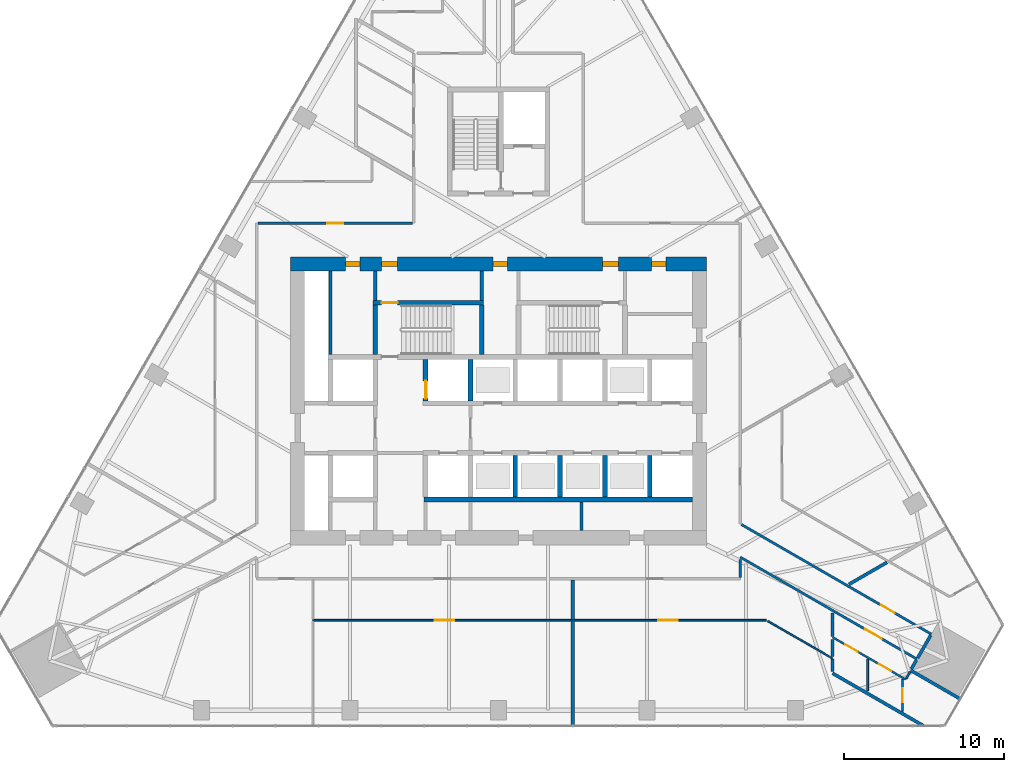
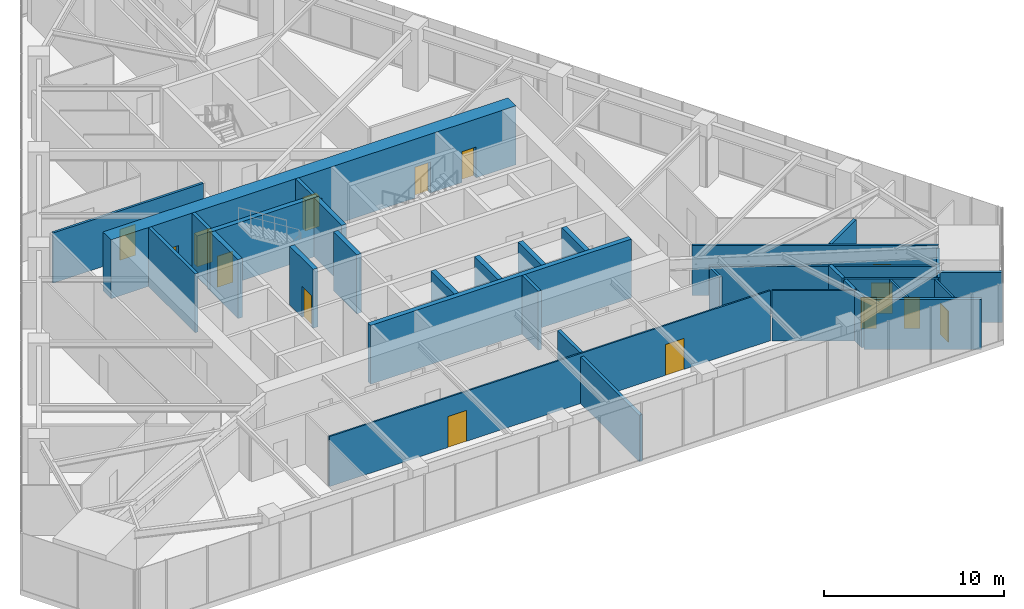
# One storey, part 17 of 22: 35 walls, 15 doors, 15 openings.
"""IFC4 building model written with IfcOpenShell, lengths in metres."""

import ifcopenshell
import ifcopenshell.guid

model = None  # the IFC model being written
_history = None  # IfcOwnerHistory: only IFC2X3 demands one
_inside = {}  # id of a spatial element -> (the spatial element, [elements in it])
_under = {}  # id of a project, library or spatial element -> (it, [spatial elements below it])
_declared = {}  # id of a project -> (the project, [libraries it declares])
_typed = {}  # id of a type object -> (the type object, [elements of that type])
_made_of = {}  # id of a material, layer set ... -> (it, [elements and type objects made of it])


def new_model(schema):
    """Start an empty IFC model of exactly this schema.

    Asked for "IFC4X3", IfcOpenShell would pick the latest addendum, in which some entities
    have other attributes; the version numbers below select the first issue.
    IFC2X3 requires an IfcOwnerHistory on every rooted entity: one is made here for all.
    """
    global model, _history
    if schema == "IFC4X3":
        model = ifcopenshell.file(schema_version=(4, 3, 0, 0))
    else:
        model = ifcopenshell.file(schema=schema)
    _inside.clear()
    _under.clear()
    _declared.clear()
    _typed.clear()
    _made_of.clear()
    _history = None
    if model.schema == "IFC2X3":
        org = make("IfcOrganization", Name="unknown")
        user = make(
            "IfcPersonAndOrganization",
            ThePerson=make("IfcPerson", FamilyName="unknown"),
            TheOrganization=org,
        )
        app = make(
            "IfcApplication",
            ApplicationDeveloper=org,
            Version="unknown",
            ApplicationFullName="unknown",
            ApplicationIdentifier="unknown",
        )
        _history = make(
            "IfcOwnerHistory",
            OwningUser=user,
            OwningApplication=app,
            ChangeAction="ADDED",
            CreationDate=0,
        )
    return model


def make(cls, **values):
    """One entity of the class cls with the attributes given. An attribute that is None is left unset."""
    return model.create_entity(
        cls, **{name: value for name, value in values.items() if value is not None}
    )


def rooted(cls, **values):
    """An entity with a GlobalId (a new one), such as an element, a storey or a relation."""
    return make(cls, GlobalId=ifcopenshell.guid.new(), OwnerHistory=_history, **values)


def si_unit(unit_type, name, prefix=None):
    """IfcSIUnit, for example si_unit("LENGTHUNIT", "METRE", prefix="MILLI")."""
    return make("IfcSIUnit", UnitType=unit_type, Prefix=prefix, Name=name)


def assignment(units):
    """IfcUnitAssignment: the units of a project."""
    return None if units is None else make("IfcUnitAssignment", Units=units)


def point(xyz):
    """IfcCartesianPoint."""
    return None if xyz is None else make("IfcCartesianPoint", Coordinates=xyz)


def direction(xyz):
    """IfcDirection."""
    return None if xyz is None else make("IfcDirection", DirectionRatios=xyz)


def frame(location, z_axis=None, x_axis=None):
    """IfcAxis2Placement3D, a coordinate frame: its origin and axes. An axis left out is left unset."""
    return make(
        "IfcAxis2Placement3D",
        Location=point(location),
        Axis=direction(z_axis),
        RefDirection=direction(x_axis),
    )


def frame_2d(location, x_axis=None):
    """IfcAxis2Placement2D, a coordinate frame in the plane: its origin and x axis."""
    return make(
        "IfcAxis2Placement2D", Location=point(location), RefDirection=direction(x_axis)
    )


def origin():
    """The frame at (0, 0, 0) with its axes left unset."""
    return frame((0.0, 0.0, 0.0))


def place(relative_to, where):
    """IfcLocalPlacement: puts the frame where relative to a parent placement (None: the world)."""
    return make(
        "IfcLocalPlacement", PlacementRelTo=relative_to, RelativePlacement=where
    )


def context(
    kind, dimensions, precision=None, world=None, true_north=None, identifier=None
):
    """IfcGeometricRepresentationContext, for example the 3D "Model" context."""
    return make(
        "IfcGeometricRepresentationContext",
        ContextIdentifier=identifier,
        ContextType=kind,
        CoordinateSpaceDimension=dimensions,
        Precision=precision,
        WorldCoordinateSystem=world,
        TrueNorth=true_north,
    )


def subcontext(parent, identifier, kind, view, scale=None):
    """IfcGeometricRepresentationSubContext, for example "Body" below "Model"."""
    return make(
        "IfcGeometricRepresentationSubContext",
        ContextIdentifier=identifier,
        ContextType=kind,
        ParentContext=parent,
        TargetScale=scale,
        TargetView=view,
    )


def project(units=None, contexts=None):
    """IfcProject with its units and contexts."""
    return rooted(
        "IfcProject",
        Name="project",
        RepresentationContexts=contexts,
        UnitsInContext=assignment(units),
    )


def spatial(cls, under=None, at=None, **own):
    """A site, building, storey or space (cls), placed at a placement, below another one or the project."""
    s = rooted(cls, ObjectPlacement=at, **own)
    if under is not None:
        _under.setdefault(under.id(), (under, []))[1].append(s)
    return s


def profile(cls, at=None, kind="AREA", **sizes):
    """A parametric profile (cls). Its sizes go by their IFC names, for example OverallWidth=200.0."""
    return make(cls, ProfileType=kind, Position=at, **sizes)


def rectangle(**sizes):
    """IfcRectangleProfileDef."""
    return profile("IfcRectangleProfileDef", **sizes)


def extrude(swept, where, along, depth):
    """IfcExtrudedAreaSolid: the profile swept, set in the frame where, extruded along a direction by depth."""
    return make(
        "IfcExtrudedAreaSolid",
        SweptArea=swept,
        Position=where,
        ExtrudedDirection=direction(along),
        Depth=depth,
    )


def shape(context_of_items, identifier, shape_type, items):
    """IfcShapeRepresentation: the items that make up one representation, for example the "Body"."""
    return make(
        "IfcShapeRepresentation",
        ContextOfItems=context_of_items,
        RepresentationIdentifier=identifier,
        RepresentationType=shape_type,
        Items=items,
    )


def material(Name=None, Category=None):
    """IfcMaterial."""
    return make("IfcMaterial", Name=Name, Category=Category)


def layer(
    of_material, thickness, ventilated=None, Name=None, Category=None, Priority=None
):
    """IfcMaterialLayer: one layer of a wall or slab, of a material (None: an air gap)."""
    return make(
        "IfcMaterialLayer",
        Material=of_material,
        LayerThickness=thickness,
        IsVentilated=ventilated,
        Name=Name,
        Category=Category,
        Priority=Priority,
    )


def layer_set(layers, Name=None):
    """IfcMaterialLayerSet."""
    return make("IfcMaterialLayerSet", MaterialLayers=layers, LayerSetName=Name)


def made_of(thing, what):
    """Note that an element or type object is made of a material, layer set ...; save() writes the relation."""
    if what is not None:
        _made_of.setdefault(what.id(), (what, []))[1].append(thing)
    return thing


def type_object(cls, material=None, **own):
    """A type object (cls), such as IfcWallType, which elements share."""
    return made_of(rooted(cls, **own), material)


def element(
    cls,
    number,
    at=None,
    inside=None,
    cuts=None,
    type_object=None,
    material=None,
    context=None,
    identifier="Body",
    shape_type=None,
    held_by="IfcProductDefinitionShape",
    body=None,
    shapes=None,
    **own,
):
    """One element of the class cls, such as IfcWall. Its Tag is "e" and its number.

    at: its placement. inside: the storey or other place that contains it. cuts: it is an
    opening in that element (IfcRelVoidsElement). A single representation is given by context,
    identifier, shape_type and body (its items); several are given by shapes. held_by: the class
    of the entity that holds the representations. save() writes the other relations.
    """
    e = rooted(cls, Tag="e%d" % number, ObjectPlacement=at, **own)
    if body is not None:
        shapes = [shape(context, identifier, shape_type, body)]
    if shapes is not None:
        e.Representation = make(held_by, Representations=shapes)
    if inside is not None:
        _inside.setdefault(inside.id(), (inside, []))[1].append(e)
    if cuts is not None:
        rooted(
            "IfcRelVoidsElement", RelatingBuildingElement=cuts, RelatedOpeningElement=e
        )
    if type_object is not None:
        _typed.setdefault(type_object.id(), (type_object, []))[1].append(e)
    return made_of(e, material)


def fill(opening, filler):
    """IfcRelFillsElement: the door or window that sits in an opening."""
    return rooted(
        "IfcRelFillsElement",
        RelatingOpeningElement=opening,
        RelatedBuildingElement=filler,
    )


def aggregate(whole, parts):
    """IfcRelAggregates: a whole, such as a stair, and the parts it consists of."""
    return rooted("IfcRelAggregates", RelatingObject=whole, RelatedObjects=parts)


def save(model, path):
    """Write the relations noted so far, then the file.

    IfcRelAggregates (storeys below a building ...), IfcRelContainedInSpatialStructure (elements
    in a storey), IfcRelDefinesByType, IfcRelAssociatesMaterial and IfcRelDeclares: one each for
    every whole, place, type object, material and project.
    """
    for whole, parts in _under.values():
        aggregate(whole, parts)
    for where, things in _inside.values():
        rooted(
            "IfcRelContainedInSpatialStructure",
            RelatedElements=things,
            RelatingStructure=where,
        )
    for kind, things in _typed.values():
        rooted("IfcRelDefinesByType", RelatedObjects=things, RelatingType=kind)
    for what, things in _made_of.values():
        rooted("IfcRelAssociatesMaterial", RelatedObjects=things, RelatingMaterial=what)
    for by, libraries in _declared.values():
        rooted("IfcRelDeclares", RelatingContext=by, RelatedDefinitions=libraries)
    model.write(path)


model = new_model("IFC4")

# Units and contexts
model_context = context("Model", 3, precision=1e-05, world=origin(), true_north=direction((0.0, 1.0)))
body_context = subcontext(model_context, "Body", "Model", "MODEL_VIEW")
ifc_project = project(units=[si_unit("LENGTHUNIT", "METRE"), si_unit("AREAUNIT", "SQUARE_METRE"), si_unit("VOLUMEUNIT", "CUBIC_METRE"), si_unit("PLANEANGLEUNIT", "RADIAN"), si_unit("MASSUNIT", "GRAM", prefix="KILO")], contexts=[model_context])

# Site, building, storey
site_placement = place(None, origin())
site = spatial("IfcSite", under=ifc_project, at=site_placement, CompositionType="ELEMENT")
building_placement = place(site_placement, origin())
building = spatial("IfcBuilding", under=site, at=building_placement, Name="Firuza Gate Tower and Library", CompositionType="ELEMENT")
storey_placement = place(building_placement, frame((0.0, 0.0, 128.199951171875)))
storey = spatial("IfcBuildingStorey", under=building, at=storey_placement, Name="L29", CompositionType="ELEMENT", Elevation=128.199951171875)

# Walls
ifc_material_1 = material(Name="Plasterboard on steel studs", Category="steel")
ifc_layer_1 = layer(ifc_material_1, 0.199951171875)
ifc_layer_set_1 = layer_set([ifc_layer_1], Name="Core partition 200 EI 120")
wall_type_1 = type_object("IfcWallType", Name="Core partition 200 EI 120", PredefinedType="PARTITIONING", material=ifc_layer_set_1)
wall_1_placement = place(storey_placement, frame((64.5, 77.89990234375, 0.0), z_axis=(0.0, 0.0, 1.0), x_axis=(0.0, 1.0, 0.0)))
element("IfcWall", 1, at=wall_1_placement, inside=storey, type_object=wall_type_1, Name="Core partition L29 6", PredefinedType="PARTITIONING", context=body_context, shape_type="SweptSolid", body=[
    extrude(rectangle(XDim=5.2001953125, YDim=0.199951171875, at=frame_2d((2.60009765625, 0.0))), origin(), (0.0, 0.0, 1.0), 4.0),
])
wall_2_placement = place(storey_placement, frame((80.175048828125, 66.89990234375, 0.0), z_axis=(0.0, 0.0, 1.0), x_axis=(0.0, 1.0, 0.0)))
element("IfcWall", 2, at=wall_2_placement, inside=storey, type_object=wall_type_1, Name="Core partition L29 15", PredefinedType="PARTITIONING", context=body_context, shape_type="SweptSolid", body=[
    extrude(rectangle(XDim=1.800048828125, YDim=0.199951171875, at=frame_2d((0.89990234375, 0.0))), origin(), (0.0, 0.0, 1.0), 4.0),
])
ifc_material_2 = material(Name="Plasterboard on steel studs", Category="steel")
ifc_layer_2 = layer(ifc_material_2, 0.199951171875)
ifc_layer_set_2 = layer_set([ifc_layer_2], Name="Core partition 200 EI 60")
wall_type_2 = type_object("IfcWallType", Name="Core partition 200 EI 60", PredefinedType="PARTITIONING", material=ifc_layer_set_2)
for number, where, z_axis, x_axis, name in (
    (3, (67.300048828125, 81.280029296875, 0.0), (0.0, 0.0, 1.0), (0.0, 1.0, 0.0), "Core partition L29 9"),
    (4, (73.9599609375, 81.280029296875, 0.0), (0.0, 0.0, 1.0), (0.0, 1.0, 0.0), "Core partition L29 13"),
):
    element("IfcWall", number, at=place(storey_placement, frame(where, z_axis=z_axis, x_axis=x_axis)), inside=storey, type_object=wall_type_2, Name=name, PredefinedType="PARTITIONING", context=body_context, shape_type="SweptSolid", body=[
        extrude(rectangle(XDim=1.820068359375, YDim=0.199951171875, at=frame_2d((0.91015625, 0.0))), origin(), (0.0, 0.0, 1.0), 4.0),
    ])
ifc_material_3 = material(Name="Concrete C80/95", Category="concrete")
ifc_layer_3 = layer(ifc_material_3, 0.300048828125)
ifc_layer_set_3 = layer_set([ifc_layer_3], Name="Core wall 300 C80/95")
wall_type_3 = type_object("IfcWallType", Name="Core wall 300 C80/95", PredefinedType="SHEAR", material=ifc_layer_set_3)
wall_3_placement = place(storey_placement, frame((70.35009765625, 68.85009765625, 0.0), z_axis=(0.0, 0.0, 1.0), x_axis=(1.0, 0.0, 0.0)))
element("IfcWall", 5, at=wall_3_placement, inside=storey, type_object=wall_type_3, Name="Core wall L29 6", PredefinedType="SHEAR", context=body_context, shape_type="SweptSolid", body=[
    extrude(rectangle(XDim=16.75, YDim=0.300048828125, at=frame_2d((8.375, 0.0))), origin(), (0.0, 0.0, 1.0), 4.0),
])

# Wall, opening, door
wall_4_placement = place(storey_placement, frame((70.449951171875, 75.0, 0.0), z_axis=(0.0, 0.0, 1.0), x_axis=(0.0, 1.0, 0.0)))
wall_4 = element("IfcWall", 6, at=wall_4_placement, inside=storey, type_object=wall_type_3, Name="Core wall L29 16", PredefinedType="SHEAR", context=body_context, shape_type="SweptSolid", body=[
    extrude(rectangle(XDim=2.60009765625, YDim=0.300048828125, at=frame_2d((1.300048828125, 0.0))), origin(), (0.0, 0.0, 1.0), 4.0),
])
opening_1_placement = place(wall_4_placement, frame((0.14990234375, 0.0, 0.0)))
opening_1 = element("IfcOpeningElement", 7, at=opening_1_placement, cuts=wall_4, Name="Opening LD-FF2-L29", PredefinedType="OPENING", context=body_context, shape_type="SweptSolid", body=[
    extrude(rectangle(XDim=1.10009765625, YDim=2.10009765625, at=frame_2d((0.550048828125, 1.050048828125))), frame((0.0, 0.16015625, 0.0), z_axis=(0.0, -1.0, 0.0), x_axis=(1.0, 0.0, 0.0)), (0.0, 0.0, 1.0), 0.320068359375),
])
ifc_material_4 = material(Name="Stainless steel", Category="steel")
door_type_1 = type_object("IfcDoorType", Name="Lift landing door 1100x2100", OperationType="DOUBLE_DOOR_SLIDING", PredefinedType="DOOR", material=ifc_material_4)
door_1_placement = place(opening_1_placement, origin())
door_1 = element("IfcDoor", 8, at=door_1_placement, inside=storey, type_object=door_type_1, Name="Landing door FF2 L29", OperationType="DOUBLE_DOOR_SLIDING", OverallHeight=2.10009765625, OverallWidth=1.10009765625, PredefinedType="DOOR", context=body_context, shape_type="SweptSolid", body=[
    extrude(rectangle(XDim=1.10009765625, YDim=2.10009765625, at=frame_2d((0.550048828125, 1.050048828125))), frame((0.0, 0.02490234375, 0.0), z_axis=(0.0, -1.0, 0.0), x_axis=(1.0, 0.0, 0.0)), (0.0, 0.0, 1.0), 0.050048828125),
])
fill(opening_1, door_1)

# Walls
for number, where, z_axis, x_axis, name in (
    (9, (73.25, 75.0, 0.0), (0.0, 0.0, 1.0), (0.0, 1.0, 0.0), "Core wall L29 18"),
    (10, (76.050048828125, 69.0, 0.0), (0.0, 0.0, 1.0), (0.0, 1.0, 0.0), "Core wall L29 19"),
    (11, (78.85009765625, 69.0, 0.0), (0.0, 0.0, 1.0), (0.0, 1.0, 0.0), "Core wall L29 21"),
    (12, (81.64990234375, 69.0, 0.0), (0.0, 0.0, 1.0), (0.0, 1.0, 0.0), "Core wall L29 23"),
    (13, (84.449951171875, 69.0, 0.0), (0.0, 0.0, 1.0), (0.0, 1.0, 0.0), "Core wall L29 25"),
):
    element("IfcWall", number, at=place(storey_placement, frame(where, z_axis=z_axis, x_axis=x_axis)), inside=storey, type_object=wall_type_3, Name=name, PredefinedType="SHEAR", context=body_context, shape_type="SweptSolid", body=[
        extrude(rectangle(XDim=2.60009765625, YDim=0.300048828125, at=frame_2d((1.300048828125, 0.0))), origin(), (0.0, 0.0, 1.0), 4.0),
    ])

# Wall, opening, door
wall_5_placement = place(storey_placement, frame((67.14990234375, 81.1298828125, 0.0), z_axis=(0.0, 0.0, 1.0), x_axis=(1.0, 0.0, 0.0)))
wall_5 = element("IfcWall", 14, at=wall_5_placement, inside=storey, type_object=wall_type_3, Name="Core wall L29 28", PredefinedType="SHEAR", context=body_context, shape_type="SweptSolid", body=[
    extrude(rectangle(XDim=6.91015625, YDim=0.300048828125, at=frame_2d((3.455078125, 0.0))), origin(), (0.0, 0.0, 1.0), 4.0),
])
opening_2_placement = place(wall_5_placement, frame((0.544921875, 0.0, 0.0)))
opening_2 = element("IfcOpeningElement", 15, at=opening_2_placement, cuts=wall_5, Name="Opening L29-K13", PredefinedType="OPENING", context=body_context, shape_type="SweptSolid", body=[
    extrude(rectangle(XDim=1.0, YDim=2.10009765625, at=frame_2d((0.5, 1.050048828125))), frame((0.0, 0.16015625, 0.0), z_axis=(0.0, -1.0, 0.0), x_axis=(1.0, 0.0, 0.0)), (0.0, 0.0, 1.0), 0.320068359375),
])
ifc_material_5 = material(Name="Steel", Category="steel")
door_type_2 = type_object("IfcDoorType", Name="Fire door 1000x2100 FD90", OperationType="NOTDEFINED", PredefinedType="DOOR", material=ifc_material_5)
door_2_placement = place(opening_2_placement, origin())
door_2 = element("IfcDoor", 16, at=door_2_placement, inside=storey, type_object=door_type_2, Name="Door L29-K13", OperationType="SINGLE_SWING_RIGHT", OverallHeight=2.10009765625, OverallWidth=1.0, PredefinedType="DOOR", context=body_context, shape_type="SweptSolid", body=[
    extrude(rectangle(XDim=1.0, YDim=2.10009765625, at=frame_2d((0.5, 1.050048828125))), frame((0.0, 0.02490234375, 0.0), z_axis=(0.0, -1.0, 0.0), x_axis=(1.0, 0.0, 0.0)), (0.0, 0.0, 1.0), 0.050048828125),
])
fill(opening_2, door_2)

# Walls
for number, where, z_axis, x_axis, name in (
    (17, (67.300048828125, 77.89990234375, 0.0), (0.0, 0.0, 1.0), (0.0, 1.0, 0.0), "Core wall L29 30"),
    (18, (73.9599609375, 77.89990234375, 0.0), (0.0, 0.0, 1.0), (0.0, 1.0, 0.0), "Core wall L29 31"),
):
    element("IfcWall", number, at=place(storey_placement, frame(where, z_axis=z_axis, x_axis=x_axis)), inside=storey, type_object=wall_type_3, Name=name, PredefinedType="SHEAR", context=body_context, shape_type="SweptSolid", body=[
        extrude(rectangle(XDim=3.080078125, YDim=0.300048828125, at=frame_2d((1.5400390625, 0.0))), origin(), (0.0, 0.0, 1.0), 4.0),
    ])

# Wall, openings, doors
ifc_material_6 = material(Name="Concrete C80/95", Category="concrete")
ifc_layer_4 = layer(ifc_material_6, 0.89990234375)
ifc_layer_set_4 = layer_set([ifc_layer_4], Name="Core wall 900 C80/95")
wall_type_4 = type_object("IfcWallType", Name="Core wall 900 C80/95", PredefinedType="SHEAR", material=ifc_layer_set_4)
wall_6_placement = place(storey_placement, frame((62.0, 83.550048828125, 0.0), z_axis=(0.0, 0.0, 1.0), x_axis=(1.0, 0.0, 0.0)))
wall_6 = element("IfcWall", 19, at=wall_6_placement, inside=storey, type_object=wall_type_4, Name="Core wall L29 2", PredefinedType="SHEAR", context=body_context, shape_type="SweptSolid", body=[
    extrude(rectangle(XDim=26.0, YDim=0.89990234375, at=frame_2d((13.0, 0.0))), origin(), (0.0, 0.0, 1.0), 4.0),
])
opening_3_placement = place(wall_6_placement, frame((5.695068359375, 0.0, 0.0)))
opening_3 = element("IfcOpeningElement", 20, at=opening_3_placement, cuts=wall_6, Name="Opening L29-K14", PredefinedType="OPENING", context=body_context, shape_type="SweptSolid", body=[
    extrude(rectangle(XDim=1.0, YDim=2.10009765625, at=frame_2d((0.5, 1.050048828125))), frame((0.0, 0.4599609375, 0.0), z_axis=(0.0, -1.0, 0.0), x_axis=(1.0, 0.0, 0.0)), (0.0, 0.0, 1.0), 0.919921875),
])
opening_4_placement = place(wall_6_placement, frame((19.5048828125, 0.0, 0.0)))
opening_4 = element("IfcOpeningElement", 21, at=opening_4_placement, cuts=wall_6, Name="Opening L29-K16", PredefinedType="OPENING", context=body_context, shape_type="SweptSolid", body=[
    extrude(rectangle(XDim=1.0, YDim=2.10009765625, at=frame_2d((0.5, 1.050048828125))), frame((0.0, 0.4599609375, 0.0), z_axis=(0.0, -1.0, 0.0), x_axis=(1.0, 0.0, 0.0)), (0.0, 0.0, 1.0), 0.919921875),
])
opening_5_placement = place(wall_6_placement, frame((3.449951171875, 0.0, 0.0)))
opening_5 = element("IfcOpeningElement", 22, at=opening_5_placement, cuts=wall_6, Name="Opening L29-K29", PredefinedType="OPENING", context=body_context, shape_type="SweptSolid", body=[
    extrude(rectangle(XDim=0.89990234375, YDim=2.10009765625, at=frame_2d((0.449951171875, 1.050048828125))), frame((0.0, 0.4599609375, 0.0), z_axis=(0.0, -1.0, 0.0), x_axis=(1.0, 0.0, 0.0)), (0.0, 0.0, 1.0), 0.919921875),
])
opening_6_placement = place(wall_6_placement, frame((12.64990234375, 0.0, 0.0)))
opening_6 = element("IfcOpeningElement", 23, at=opening_6_placement, cuts=wall_6, Name="Opening L29-K30", PredefinedType="OPENING", context=body_context, shape_type="SweptSolid", body=[
    extrude(rectangle(XDim=0.89990234375, YDim=2.10009765625, at=frame_2d((0.449951171875, 1.050048828125))), frame((0.0, 0.4599609375, 0.0), z_axis=(0.0, -1.0, 0.0), x_axis=(1.0, 0.0, 0.0)), (0.0, 0.0, 1.0), 0.919921875),
])
opening_7_placement = place(wall_6_placement, frame((22.550048828125, 0.0, 0.0)))
opening_7 = element("IfcOpeningElement", 24, at=opening_7_placement, cuts=wall_6, Name="Opening L29-K32", PredefinedType="OPENING", context=body_context, shape_type="SweptSolid", body=[
    extrude(rectangle(XDim=0.89990234375, YDim=2.10009765625, at=frame_2d((0.449951171875, 1.050048828125))), frame((0.0, 0.4599609375, 0.0), z_axis=(0.0, -1.0, 0.0), x_axis=(1.0, 0.0, 0.0)), (0.0, 0.0, 1.0), 0.919921875),
])
door_3_placement = place(opening_3_placement, origin())
door_3 = element("IfcDoor", 25, at=door_3_placement, inside=storey, type_object=door_type_2, Name="Door L29-K14", OperationType="SINGLE_SWING_LEFT", OverallHeight=2.10009765625, OverallWidth=1.0, PredefinedType="DOOR", context=body_context, shape_type="SweptSolid", body=[
    extrude(rectangle(XDim=1.0, YDim=2.10009765625, at=frame_2d((0.5, 1.050048828125))), frame((0.0, 0.169921875, 0.0), z_axis=(0.0, -1.0, 0.0), x_axis=(1.0, 0.0, 0.0)), (0.0, 0.0, 1.0), 0.33984375),
])
fill(opening_3, door_3)
door_4_placement = place(opening_4_placement, origin())
door_4 = element("IfcDoor", 26, at=door_4_placement, inside=storey, type_object=door_type_2, Name="Door L29-K16", OperationType="SINGLE_SWING_LEFT", OverallHeight=2.10009765625, OverallWidth=1.0, PredefinedType="DOOR", context=body_context, shape_type="SweptSolid", body=[
    extrude(rectangle(XDim=1.0, YDim=2.10009765625, at=frame_2d((0.5, 1.050048828125))), frame((0.0, 0.169921875, 0.0), z_axis=(0.0, -1.0, 0.0), x_axis=(1.0, 0.0, 0.0)), (0.0, 0.0, 1.0), 0.33984375),
])
fill(opening_4, door_4)
ifc_material_7 = material(Name="Steel", Category="steel")
door_type_3 = type_object("IfcDoorType", Name="Fire door 900x2100 FD30S", OperationType="NOTDEFINED", PredefinedType="DOOR", material=ifc_material_7)
door_5_placement = place(opening_5_placement, origin())
door_5 = element("IfcDoor", 27, at=door_5_placement, inside=storey, type_object=door_type_3, Name="Door L29-K29", OperationType="SINGLE_SWING_RIGHT", OverallHeight=2.10009765625, OverallWidth=0.89990234375, PredefinedType="DOOR", context=body_context, shape_type="SweptSolid", body=[
    extrude(rectangle(XDim=0.89990234375, YDim=2.10009765625, at=frame_2d((0.449951171875, 1.050048828125))), frame((0.0, 0.169921875, 0.0), z_axis=(0.0, -1.0, 0.0), x_axis=(1.0, 0.0, 0.0)), (0.0, 0.0, 1.0), 0.33984375),
])
fill(opening_5, door_5)
door_6_placement = place(opening_6_placement, origin())
door_6 = element("IfcDoor", 28, at=door_6_placement, inside=storey, type_object=door_type_3, Name="Door L29-K30", OperationType="SINGLE_SWING_LEFT", OverallHeight=2.10009765625, OverallWidth=0.89990234375, PredefinedType="DOOR", context=body_context, shape_type="SweptSolid", body=[
    extrude(rectangle(XDim=0.89990234375, YDim=2.10009765625, at=frame_2d((0.449951171875, 1.050048828125))), frame((0.0, 0.169921875, 0.0), z_axis=(0.0, -1.0, 0.0), x_axis=(1.0, 0.0, 0.0)), (0.0, 0.0, 1.0), 0.33984375),
])
fill(opening_6, door_6)
door_7_placement = place(opening_7_placement, origin())
door_7 = element("IfcDoor", 29, at=door_7_placement, inside=storey, type_object=door_type_3, Name="Door L29-K32", OperationType="SINGLE_SWING_LEFT", OverallHeight=2.10009765625, OverallWidth=0.89990234375, PredefinedType="DOOR", context=body_context, shape_type="SweptSolid", body=[
    extrude(rectangle(XDim=0.89990234375, YDim=2.10009765625, at=frame_2d((0.449951171875, 1.050048828125))), frame((0.0, 0.169921875, 0.0), z_axis=(0.0, -1.0, 0.0), x_axis=(1.0, 0.0, 0.0)), (0.0, 0.0, 1.0), 0.33984375),
])
fill(opening_7, door_7)

# Wall, opening, door
ifc_material_8 = material(Name="Gypsum board partition")
ifc_layer_5 = layer(ifc_material_8, 0.14990234375)
ifc_layer_set_5 = layer_set([ifc_layer_5], Name="Corridor wall 150 double board on steel studs")
wall_type_5 = type_object("IfcWallType", Name="Corridor wall 150 double board on steel studs", PredefinedType="PARTITIONING", material=ifc_layer_set_5)
wall_7_placement = place(storey_placement, frame((59.9755859375, 86.10009765625, 0.0), z_axis=(0.0, 0.0, 1.0), x_axis=(1.0, 0.0, 0.0)))
wall_7 = element("IfcWall", 30, at=wall_7_placement, inside=storey, type_object=wall_type_5, Name="f:L29:w002", PredefinedType="PARTITIONING", context=body_context, shape_type="SweptSolid", body=[
    extrude(rectangle(XDim=9.6494140625, YDim=0.14990234375, at=frame_2d((4.82470703125, 0.0))), origin(), (0.0, 0.0, 1.0), 3.400146484375),
])
opening_8_placement = place(wall_7_placement, frame((4.32470703125, 0.0, 0.0)))
opening_8 = element("IfcOpeningElement", 31, at=opening_8_placement, cuts=wall_7, Name="Opening L29-06", PredefinedType="OPENING", context=body_context, shape_type="SweptSolid", body=[
    extrude(rectangle(XDim=1.0, YDim=2.10009765625, at=frame_2d((0.5, 1.050048828125))), frame((0.0, 0.0849609375, 0.0), z_axis=(0.0, -1.0, 0.0), x_axis=(1.0, 0.0, 0.0)), (0.0, 0.0, 1.0), 0.169921875),
])
ifc_material_9 = material(Name="Steel door and timber leaf", Category="steel")
door_type_4 = type_object("IfcDoorType", Name="Fire door 1000 x 2100 steel frame, timber leaf", OperationType="NOTDEFINED", PredefinedType="DOOR", material=ifc_material_9)
door_8_placement = place(opening_8_placement, origin())
door_8 = element("IfcDoor", 32, at=door_8_placement, inside=storey, type_object=door_type_4, Name="f:L29:d006", OperationType="SINGLE_SWING_RIGHT", OverallHeight=2.10009765625, OverallWidth=1.0, PredefinedType="DOOR", context=body_context, shape_type="SweptSolid", body=[
    extrude(rectangle(XDim=1.0, YDim=2.10009765625, at=frame_2d((0.5, 1.050048828125))), frame((0.0, 0.02490234375, 0.0), z_axis=(0.0, -1.0, 0.0), x_axis=(1.0, 0.0, 0.0)), (0.0, 0.0, 1.0), 0.050048828125),
])
fill(opening_8, door_8)

# Wall
wall_8_placement = place(storey_placement, frame((90.10009765625, 63.97509765625, 0.0), z_axis=(0.0, 0.0, 1.0), x_axis=(0.0, 1.0, 0.0)))
element("IfcWall", 33, at=wall_8_placement, inside=storey, type_object=wall_type_5, Name="f:L29:w028", PredefinedType="PARTITIONING", context=body_context, shape_type="SweptSolid", body=[
    extrude(rectangle(XDim=1.131103515625, YDim=0.14990234375, at=frame_2d((0.5654296875, 0.0))), origin(), (0.0, 0.0, 1.0), 3.2470703125),
])

# Wall, opening, door
wall_9_placement = place(storey_placement, frame((90.175048828125, 67.278076171875, 0.0), z_axis=(0.0, 0.0, 1.0), x_axis=(0.866022903348, -0.500004330858, 0.0)))
wall_9 = element("IfcWall", 34, at=wall_9_placement, inside=storey, type_object=wall_type_5, Name="f:L29:w055", PredefinedType="PARTITIONING", context=body_context, shape_type="SweptSolid", body=[
    extrude(rectangle(XDim=13.6953125, YDim=0.14990234375, at=frame_2d((6.84765625, 0.0))), origin(), (0.0, 0.0, 1.0), 3.400146484375),
])
opening_9_placement = place(wall_9_placement, frame((10.049560546875, 0.0, 0.0)))
opening_9 = element("IfcOpeningElement", 35, at=opening_9_placement, cuts=wall_9, Name="Opening L29-27", PredefinedType="OPENING", context=body_context, shape_type="SweptSolid", body=[
    extrude(rectangle(XDim=1.0, YDim=2.10009765625, at=frame_2d((0.5, 1.050048828125))), frame((0.0, 0.0849609375, 0.0), z_axis=(0.0, -1.0, 0.0), x_axis=(1.0, 0.0, 0.0)), (0.0, 0.0, 1.0), 0.169921875),
])
door_9_placement = place(opening_9_placement, origin())
door_9 = element("IfcDoor", 36, at=door_9_placement, inside=storey, type_object=door_type_4, Name="f:L29:d027", OperationType="SINGLE_SWING_LEFT", OverallHeight=2.10009765625, OverallWidth=1.0, PredefinedType="DOOR", context=body_context, shape_type="SweptSolid", body=[
    extrude(rectangle(XDim=1.0, YDim=2.10009765625, at=frame_2d((0.5, 1.050048828125))), frame((0.0, 0.02490234375, 0.0), z_axis=(0.0, -1.0, 0.0), x_axis=(1.0, 0.0, 0.0)), (0.0, 0.0, 1.0), 0.050048828125),
])
fill(opening_9, door_9)

wall_10_placement = place(storey_placement, frame((101.1357421875, 58.871337890625, 0.0), z_axis=(0.0, 0.0, 1.0), x_axis=(-0.866020317169, 0.500008810174, 0.0)))
wall_10 = element("IfcWall", 37, at=wall_10_placement, inside=storey, type_object=wall_type_5, Name="f:L29:w056", PredefinedType="PARTITIONING", context=body_context, shape_type="SweptSolid", body=[
    extrude(rectangle(XDim=12.742919921875, YDim=0.14990234375, at=frame_2d((6.37158203125, 0.0))), origin(), (0.0, 0.0, 1.0), 3.2470703125),
])
opening_10_placement = place(wall_10_placement, frame((2.5458984375, 0.0, 0.0)))
opening_10 = element("IfcOpeningElement", 38, at=opening_10_placement, cuts=wall_10, Name="Opening L29-28", PredefinedType="OPENING", context=body_context, shape_type="SweptSolid", body=[
    extrude(rectangle(XDim=1.199951171875, YDim=2.10009765625, at=frame_2d((0.60009765625, 1.050048828125))), frame((0.0, 0.0849609375, 0.0), z_axis=(0.0, -1.0, 0.0), x_axis=(1.0, 0.0, 0.0)), (0.0, 0.0, 1.0), 0.169921875),
])
ifc_material_10 = material(Name="Steel door and timber leaf", Category="steel")
door_type_5 = type_object("IfcDoorType", Name="Fire door 1200 x 2100 steel frame, double leaf", OperationType="NOTDEFINED", PredefinedType="DOOR", material=ifc_material_10)
door_10_placement = place(opening_10_placement, origin())
door_10 = element("IfcDoor", 39, at=door_10_placement, inside=storey, type_object=door_type_5, Name="f:L29:d028", OperationType="DOUBLE_DOOR_SINGLE_SWING", OverallHeight=2.10009765625, OverallWidth=1.199951171875, PredefinedType="DOOR", context=body_context, shape_type="SweptSolid", body=[
    extrude(rectangle(XDim=1.199951171875, YDim=2.10009765625, at=frame_2d((0.60009765625, 1.050048828125))), frame((0.0, 0.02490234375, 0.0), z_axis=(0.0, -1.0, 0.0), x_axis=(1.0, 0.0, 0.0)), (0.0, 0.0, 1.0), 0.050048828125),
])
fill(opening_10, door_10)

# Walls
ifc_material_11 = material(Name="Gypsum board partition")
ifc_layer_6 = layer(ifc_material_11, 0.199951171875)
ifc_layer_set_6 = layer_set([ifc_layer_6], Name="Demising wall 200 acoustic double stud")
wall_type_6 = type_object("IfcWallType", Name="Demising wall 200 acoustic double stud", PredefinedType="PARTITIONING", material=ifc_layer_set_6)
wall_11_placement = place(storey_placement, frame((96.8896484375, 63.547607421875, 0.0), z_axis=(0.0, 0.0, 1.0), x_axis=(0.86604168154, 0.499971805041, 0.0)))
element("IfcWall", 40, at=wall_11_placement, inside=storey, type_object=wall_type_6, Name="f:L29:w011", PredefinedType="PARTITIONING", context=body_context, shape_type="SweptSolid", body=[
    extrude(rectangle(XDim=2.740478515625, YDim=0.199951171875, at=frame_2d((1.3701171875, 0.0))), origin(), (0.0, 0.0, 1.0), 3.400146484375),
])
wall_12_placement = place(storey_placement, frame((100.786376953125, 58.26513671875, 0.0), z_axis=(0.0, 0.0, 1.0), x_axis=(0.499880341542, 0.866094477606, 0.0)))
element("IfcWall", 41, at=wall_12_placement, inside=storey, type_object=wall_type_6, Name="f:L29:w023", PredefinedType="PARTITIONING", context=body_context, shape_type="SweptSolid", body=[
    extrude(rectangle(XDim=0.624755859375, YDim=0.199951171875, at=frame_2d((0.3125, 0.0))), origin(), (0.0, 0.0, 1.0), 3.400146484375),
])
wall_13_placement = place(storey_placement, frame((95.863037109375, 58.105224609375, 0.0), z_axis=(0.0, 0.0, 1.0), x_axis=(0.0, 1.0, 0.0)))
element("IfcWall", 42, at=wall_13_placement, inside=storey, type_object=wall_type_6, Name="f:L29:w026", PredefinedType="PARTITIONING", context=body_context, shape_type="SweptSolid", body=[
    extrude(rectangle(XDim=0.76513671875, YDim=0.199951171875, at=frame_2d((0.382568359375, 0.0))), origin(), (0.0, 0.0, 1.0), 3.400146484375),
])
wall_14_placement = place(storey_placement, frame((79.635986328125, 54.722900390625, 0.0), z_axis=(0.0, 0.0, 1.0), x_axis=(0.0, 1.0, 0.0)))
element("IfcWall", 43, at=wall_14_placement, inside=storey, type_object=wall_type_6, Name="f:L29:w031", PredefinedType="PARTITIONING", context=body_context, shape_type="SweptSolid", body=[
    extrude(rectangle(XDim=6.527099609375, YDim=0.199951171875, at=frame_2d((3.263671875, 0.0))), origin(), (0.0, 0.0, 1.0), 3.1650390625),
])
wall_15_placement = place(storey_placement, frame((103.81884765625, 56.3984375, 0.0), z_axis=(0.0, 0.0, 1.0), x_axis=(-0.866004308173, 0.500036536891, 0.0)))
element("IfcWall", 44, at=wall_15_placement, inside=storey, type_object=wall_type_6, Name="f:L29:w057", PredefinedType="PARTITIONING", context=body_context, shape_type="SweptSolid", body=[
    extrude(rectangle(XDim=3.543701171875, YDim=0.199951171875, at=frame_2d((1.77197265625, 0.0))), origin(), (0.0, 0.0, 1.0), 3.400146484375),
])
wall_16_placement = place(storey_placement, frame((101.52099609375, 54.722900390625, 0.0), z_axis=(0.0, 0.0, 1.0), x_axis=(-0.866020061583, 0.50000925285, 0.0)))
element("IfcWall", 45, at=wall_16_placement, inside=storey, type_object=wall_type_6, Name="f:L29:w061", PredefinedType="PARTITIONING", context=body_context, shape_type="SweptSolid", body=[
    extrude(rectangle(XDim=6.53369140625, YDim=0.199951171875, at=frame_2d((3.266845703125, 0.0))), origin(), (0.0, 0.0, 1.0), 3.400146484375),
])
wall_17_placement = place(storey_placement, frame((79.635986328125, 61.35009765625, 0.0), z_axis=(0.0, 0.0, 1.0), x_axis=(0.0, 1.0, 0.0)))
element("IfcWall", 46, at=wall_17_placement, inside=storey, type_object=wall_type_6, Name="f:L29:w064", PredefinedType="PARTITIONING", context=body_context, shape_type="SweptSolid", body=[
    extrude(rectangle(XDim=2.474853515625, YDim=0.199951171875, at=frame_2d((1.2373046875, 0.0))), origin(), (0.0, 0.0, 1.0), 3.400146484375),
])
wall_18_placement = place(storey_placement, frame((101.173828125, 58.93603515625, 0.0), z_axis=(0.0, 0.0, 1.0), x_axis=(0.499991515992, 0.866030301974, 0.0)))
element("IfcWall", 47, at=wall_18_placement, inside=storey, type_object=wall_type_6, Name="f:L29:w070", PredefinedType="PARTITIONING", context=body_context, shape_type="SweptSolid", body=[
    extrude(rectangle(XDim=1.6494140625, YDim=0.199951171875, at=frame_2d((0.82470703125, 0.0))), origin(), (0.0, 0.0, 1.0), 3.2470703125),
])
wall_19_placement = place(storey_placement, frame((95.863037109375, 60.29345703125, 0.0), z_axis=(0.0, 0.0, 1.0), x_axis=(0.0, 1.0, 0.0)))
element("IfcWall", 48, at=wall_19_placement, inside=storey, type_object=wall_type_6, Name="f:L29:w071", PredefinedType="PARTITIONING", context=body_context, shape_type="SweptSolid", body=[
    extrude(rectangle(XDim=1.4755859375, YDim=0.199951171875, at=frame_2d((0.73779296875, 0.0))), origin(), (0.0, 0.0, 1.0), 3.400146484375),
])
wall_20_placement = place(storey_placement, frame((95.863037109375, 59.02880859375, 0.0), z_axis=(0.0, 0.0, 1.0), x_axis=(0.0, 1.0, 0.0)))
element("IfcWall", 49, at=wall_20_placement, inside=storey, type_object=wall_type_6, Name="f:L29:w074", PredefinedType="PARTITIONING", context=body_context, shape_type="SweptSolid", body=[
    extrude(rectangle(XDim=1.08544921875, YDim=0.199951171875, at=frame_2d((0.542724609375, 0.0))), origin(), (0.0, 0.0, 1.0), 3.400146484375),
])

# Wall, openings, doors
ifc_material_12 = material(Name="Gypsum board partition")
ifc_layer_7 = layer(ifc_material_12, 0.10009765625)
ifc_layer_set_7 = layer_set([ifc_layer_7], Name="Partition 100 gypsum board on steel studs")
wall_type_7 = type_object("IfcWallType", Name="Partition 100 gypsum board on steel studs", PredefinedType="PARTITIONING", material=ifc_layer_set_7)
wall_21_placement = place(storey_placement, frame((63.40966796875, 61.300048828125, 0.0), z_axis=(0.0, 0.0, 1.0), x_axis=(1.0, 0.0, 0.0)))
wall_21 = element("IfcWall", 50, at=wall_21_placement, inside=storey, type_object=wall_type_7, Name="f:L29:w000", PredefinedType="PARTITIONING", context=body_context, shape_type="SweptSolid", body=[
    extrude(rectangle(XDim=28.3193359375, YDim=0.10009765625, at=frame_2d((14.15966796875, 0.0))), origin(), (0.0, 0.0, 1.0), 3.400146484375),
])
opening_11_placement = place(wall_21_placement, frame((7.61328125, 0.0, 0.0)))
opening_11 = element("IfcOpeningElement", 51, at=opening_11_placement, cuts=wall_21, Name="Opening L29-01", PredefinedType="OPENING", context=body_context, shape_type="SweptSolid", body=[
    extrude(rectangle(XDim=1.199951171875, YDim=2.10009765625, at=frame_2d((0.60009765625, 1.050048828125))), frame((0.0, 0.06005859375, 0.0), z_axis=(0.0, -1.0, 0.0), x_axis=(1.0, 0.0, 0.0)), (0.0, 0.0, 1.0), 0.1201171875),
])
opening_12_placement = place(wall_21_placement, frame((21.572998046875, 0.0, 0.0)))
opening_12 = element("IfcOpeningElement", 52, at=opening_12_placement, cuts=wall_21, Name="Opening L29-02", PredefinedType="OPENING", context=body_context, shape_type="SweptSolid", body=[
    extrude(rectangle(XDim=1.199951171875, YDim=2.10009765625, at=frame_2d((0.60009765625, 1.050048828125))), frame((0.0, 0.06005859375, 0.0), z_axis=(0.0, -1.0, 0.0), x_axis=(1.0, 0.0, 0.0)), (0.0, 0.0, 1.0), 0.1201171875),
])
ifc_material_13 = material(Name="Glazed aluminium door", Category="aluminium")
door_type_6 = type_object("IfcDoorType", Name="Door 1200 x 2100 glazed double leaf", OperationType="NOTDEFINED", PredefinedType="DOOR", material=ifc_material_13)
door_11_placement = place(opening_11_placement, origin())
door_11 = element("IfcDoor", 53, at=door_11_placement, inside=storey, type_object=door_type_6, Name="f:L29:d001", OperationType="DOUBLE_DOOR_SINGLE_SWING", OverallHeight=2.10009765625, OverallWidth=1.199951171875, PredefinedType="DOOR", context=body_context, shape_type="SweptSolid", body=[
    extrude(rectangle(XDim=1.199951171875, YDim=2.10009765625, at=frame_2d((0.60009765625, 1.050048828125))), frame((0.0, 0.02490234375, 0.0), z_axis=(0.0, -1.0, 0.0), x_axis=(1.0, 0.0, 0.0)), (0.0, 0.0, 1.0), 0.050048828125),
])
fill(opening_11, door_11)
door_12_placement = place(opening_12_placement, origin())
door_12 = element("IfcDoor", 54, at=door_12_placement, inside=storey, type_object=door_type_6, Name="f:L29:d002", OperationType="DOUBLE_DOOR_SINGLE_SWING", OverallHeight=2.10009765625, OverallWidth=1.199951171875, PredefinedType="DOOR", context=body_context, shape_type="SweptSolid", body=[
    extrude(rectangle(XDim=1.199951171875, YDim=2.10009765625, at=frame_2d((0.60009765625, 1.050048828125))), frame((0.0, 0.02490234375, 0.0), z_axis=(0.0, -1.0, 0.0), x_axis=(1.0, 0.0, 0.0)), (0.0, 0.0, 1.0), 0.050048828125),
])
fill(opening_12, door_12)

# Walls
wall_22_placement = place(storey_placement, frame((95.86279296875, 58.91357421875, 0.0), z_axis=(0.0, 0.0, 1.0), x_axis=(-0.866042039906, 0.499971184285, 0.0)))
element("IfcWall", 55, at=wall_22_placement, inside=storey, type_object=wall_type_7, Name="f:L29:w060", PredefinedType="PARTITIONING", context=body_context, shape_type="SweptSolid", body=[
    extrude(rectangle(XDim=4.673095703125, YDim=0.10009765625, at=frame_2d((2.33642578125, 0.0))), origin(), (0.0, 0.0, 1.0), 3.400146484375),
])
ifc_material_14 = material(Name="Gypsum board partition")
ifc_layer_8 = layer(ifc_material_14, 0.1201171875)
ifc_layer_set_8 = layer_set([ifc_layer_8], Name="Wet-area partition 120 moisture-resistant board")
wall_type_8 = type_object("IfcWallType", Name="Wet-area partition 120 moisture-resistant board", PredefinedType="PARTITIONING", material=ifc_layer_set_8)
wall_23_placement = place(storey_placement, frame((100.4580078125, 57.658203125, 0.0), z_axis=(0.0, 0.0, 1.0), x_axis=(0.499895202697, 0.866085900082, 0.0)))
element("IfcWall", 56, at=wall_23_placement, inside=storey, type_object=wall_type_8, Name="f:L29:w022", PredefinedType="PARTITIONING", context=body_context, shape_type="SweptSolid", body=[
    extrude(rectangle(XDim=0.4892578125, YDim=0.1201171875, at=frame_2d((0.24462890625, 0.0))), origin(), (0.0, 0.0, 1.0), 3.400146484375),
])

# Wall, opening, door
wall_24_placement = place(storey_placement, frame((100.23095703125, 55.623291015625, 0.0), z_axis=(0.0, 0.0, 1.0), x_axis=(0.0, 1.0, 0.0)))
wall_24 = element("IfcWall", 57, at=wall_24_placement, inside=storey, type_object=wall_type_8, Name="f:L29:w024", PredefinedType="PARTITIONING", context=body_context, shape_type="SweptSolid", body=[
    extrude(rectangle(XDim=1.98681640625, YDim=0.1201171875, at=frame_2d((0.993408203125, 0.0))), origin(), (0.0, 0.0, 1.0), 3.400146484375),
])
opening_13_placement = place(wall_24_placement, frame((0.54345703125, 0.0, 0.0)))
opening_13 = element("IfcOpeningElement", 58, at=opening_13_placement, cuts=wall_24, Name="Opening L29-16", PredefinedType="OPENING", context=body_context, shape_type="SweptSolid", body=[
    extrude(rectangle(XDim=0.89990234375, YDim=2.10009765625, at=frame_2d((0.449951171875, 1.050048828125))), frame((0.0, 0.070068359375, 0.0), z_axis=(0.0, -1.0, 0.0), x_axis=(1.0, 0.0, 0.0)), (0.0, 0.0, 1.0), 0.14013671875),
])
ifc_material_15 = material(Name="Timber door", Category="wood")
door_type_7 = type_object("IfcDoorType", Name="Door 900 x 2100 timber leaf", OperationType="NOTDEFINED", PredefinedType="DOOR", material=ifc_material_15)
door_13_placement = place(opening_13_placement, origin())
door_13 = element("IfcDoor", 59, at=door_13_placement, inside=storey, type_object=door_type_7, Name="f:L29:d016", OperationType="SINGLE_SWING_LEFT", OverallHeight=2.10009765625, OverallWidth=0.89990234375, PredefinedType="DOOR", context=body_context, shape_type="SweptSolid", body=[
    extrude(rectangle(XDim=0.89990234375, YDim=2.10009765625, at=frame_2d((0.449951171875, 1.050048828125))), frame((0.0, 0.02490234375, 0.0), z_axis=(0.0, -1.0, 0.0), x_axis=(1.0, 0.0, 0.0)), (0.0, 0.0, 1.0), 0.050048828125),
])
fill(opening_13, door_13)

# Wall
wall_25_placement = place(storey_placement, frame((98.047119140625, 56.88427734375, 0.0), z_axis=(0.0, 0.0, 1.0), x_axis=(0.0, 1.0, 0.0)))
element("IfcWall", 60, at=wall_25_placement, inside=storey, type_object=wall_type_8, Name="f:L29:w025", PredefinedType="PARTITIONING", context=body_context, shape_type="SweptSolid", body=[
    extrude(rectangle(XDim=1.98681640625, YDim=0.1201171875, at=frame_2d((0.993408203125, 0.0))), origin(), (0.0, 0.0, 1.0), 3.400146484375),
])

# Wall, openings, doors
wall_26_placement = place(storey_placement, frame((95.86279296875, 60.241455078125, 0.0), z_axis=(0.0, 0.0, 1.0), x_axis=(0.866028224559, -0.499995114243, 0.0)))
wall_26 = element("IfcWall", 61, at=wall_26_placement, inside=storey, type_object=wall_type_8, Name="f:L29:w059", PredefinedType="PARTITIONING", context=body_context, shape_type="SweptSolid", body=[
    extrude(rectangle(XDim=5.2705078125, YDim=0.1201171875, at=frame_2d((2.63525390625, 0.0))), origin(), (0.0, 0.0, 1.0), 3.400146484375),
])
opening_14_placement = place(wall_26_placement, frame((0.912841796875, 0.0, 0.0)))
opening_14 = element("IfcOpeningElement", 62, at=opening_14_placement, cuts=wall_26, Name="Opening L29-29", PredefinedType="OPENING", context=body_context, shape_type="SweptSolid", body=[
    extrude(rectangle(XDim=0.89990234375, YDim=2.10009765625, at=frame_2d((0.449951171875, 1.050048828125))), frame((0.0, 0.070068359375, 0.0), z_axis=(0.0, -1.0, 0.0), x_axis=(1.0, 0.0, 0.0)), (0.0, 0.0, 1.0), 0.14013671875),
])
opening_15_placement = place(wall_26_placement, frame((3.333251953125, 0.0, 0.0)))
opening_15 = element("IfcOpeningElement", 63, at=opening_15_placement, cuts=wall_26, Name="Opening L29-30", PredefinedType="OPENING", context=body_context, shape_type="SweptSolid", body=[
    extrude(rectangle(XDim=0.89990234375, YDim=2.10009765625, at=frame_2d((0.449951171875, 1.050048828125))), frame((0.0, 0.070068359375, 0.0), z_axis=(0.0, -1.0, 0.0), x_axis=(1.0, 0.0, 0.0)), (0.0, 0.0, 1.0), 0.14013671875),
])
door_14_placement = place(opening_14_placement, origin())
door_14 = element("IfcDoor", 64, at=door_14_placement, inside=storey, type_object=door_type_7, Name="f:L29:d029", OperationType="SINGLE_SWING_RIGHT", OverallHeight=2.10009765625, OverallWidth=0.89990234375, PredefinedType="DOOR", context=body_context, shape_type="SweptSolid", body=[
    extrude(rectangle(XDim=0.89990234375, YDim=2.10009765625, at=frame_2d((0.449951171875, 1.050048828125))), frame((0.0, 0.02490234375, 0.0), z_axis=(0.0, -1.0, 0.0), x_axis=(1.0, 0.0, 0.0)), (0.0, 0.0, 1.0), 0.050048828125),
])
fill(opening_14, door_14)
door_15_placement = place(opening_15_placement, origin())
door_15 = element("IfcDoor", 65, at=door_15_placement, inside=storey, type_object=door_type_7, Name="f:L29:d030", OperationType="SINGLE_SWING_LEFT", OverallHeight=2.10009765625, OverallWidth=0.89990234375, PredefinedType="DOOR", context=body_context, shape_type="SweptSolid", body=[
    extrude(rectangle(XDim=0.89990234375, YDim=2.10009765625, at=frame_2d((0.449951171875, 1.050048828125))), frame((0.0, 0.02490234375, 0.0), z_axis=(0.0, -1.0, 0.0), x_axis=(1.0, 0.0, 0.0)), (0.0, 0.0, 1.0), 0.050048828125),
])
fill(opening_15, door_15)

save(model, "model.ifc")
